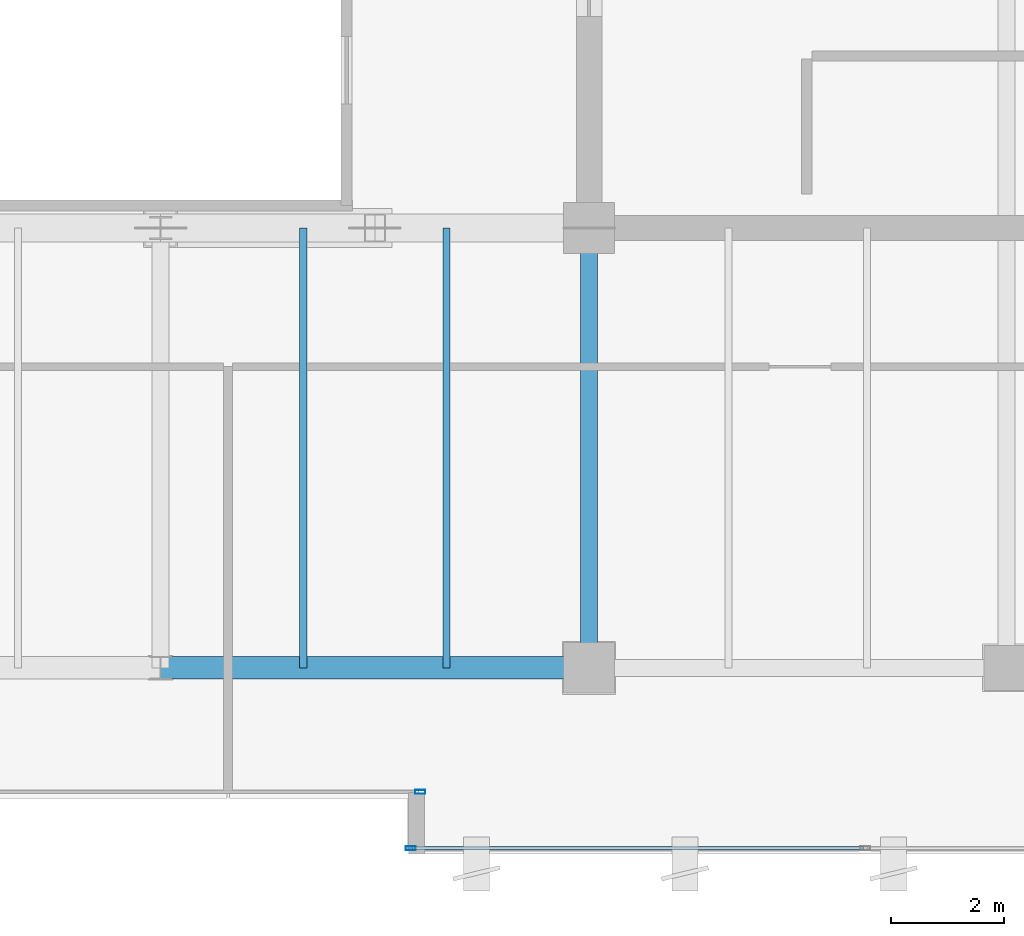
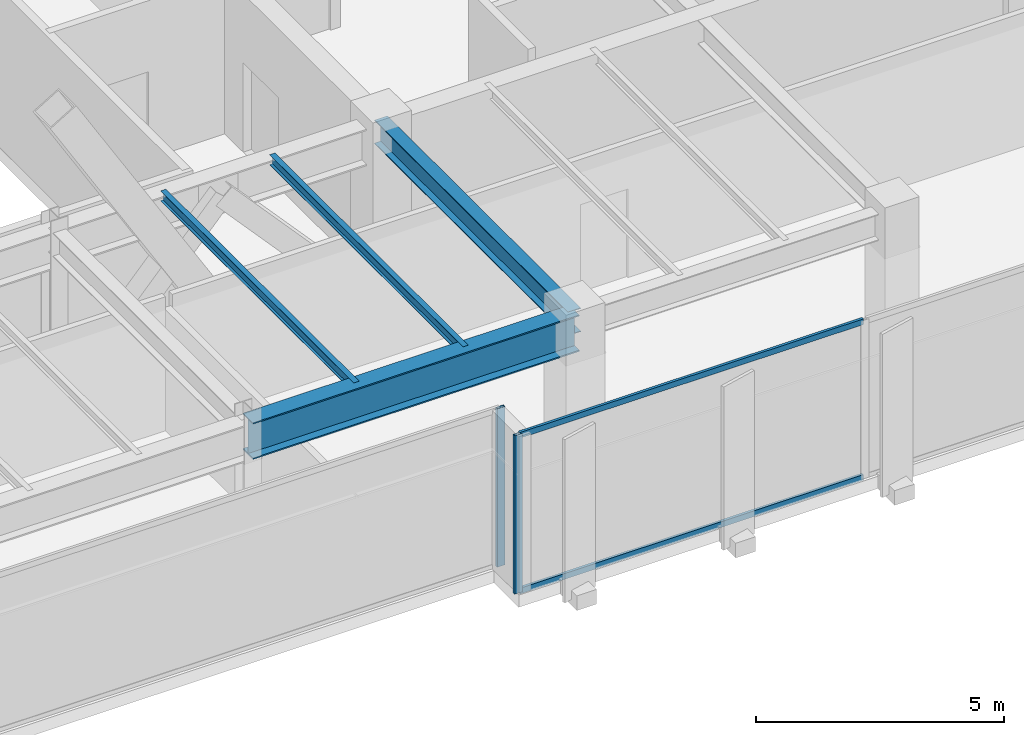
# One storey, part 11 of 32: 4 beams, 4 members, 2 elements without a shape of their own.
"""IFC4 building model written with IfcOpenShell, lengths in metres."""

from ifc_helpers import new_model, si_unit, direction, frame, origin, origin_2d, place, context, subcontext, project, spatial, hollow_rectangle, i_section, extrude, source, transform, mapped, material, layer, layer_set, material_profile, profile_set, type_object, type_shapes, element, aggregate, save


model = new_model("IFC4")

# Units and contexts
model_context = context("Model", 3, precision=1e-05, world=origin(), true_north=direction((0.0, 1.0)))
body_context = subcontext(model_context, "Body", "Model", "MODEL_VIEW")
ifc_project = project(units=[si_unit("LENGTHUNIT", "METRE"), si_unit("AREAUNIT", "SQUARE_METRE"), si_unit("VOLUMEUNIT", "CUBIC_METRE"), si_unit("PLANEANGLEUNIT", "RADIAN"), si_unit("MASSUNIT", "GRAM", prefix="KILO")], contexts=[model_context])

# Site, building, storey
site_placement = place(None, origin())
site = spatial("IfcSite", under=ifc_project, at=site_placement, CompositionType="ELEMENT")
building_placement = place(site_placement, origin())
building = spatial("IfcBuilding", under=site, at=building_placement, Name="Haelvirn Gate Laboratories", CompositionType="ELEMENT")
storey_placement = place(building_placement, frame((0.0, 0.0, 306.0)))
storey = spatial("IfcBuildingStorey", under=building, at=storey_placement, Name="L73", CompositionType="ELEMENT", Elevation=306.0)

# Beams
ifc_material_1 = material(Name="Steel SM420", Category="steel")
ifc_material_profile_1 = material_profile(ifc_material_1, i_section(OverallWidth=0.39990234375, OverallDepth=0.89990234375, WebThickness=0.01904296875, FlangeThickness=0.031982421875, at=origin_2d()), Name="H-900x400x19x32")
ifc_profile_set_1 = profile_set([ifc_material_profile_1], Name="Steel SM420")
beam_type_1 = type_object("IfcBeamType", Name="BM-TG-900", PredefinedType="BEAM", material=ifc_profile_set_1)
shared_shape_1 = source(origin(), body_context, "Body", "SweptSolid", [
    extrude(i_section(OverallWidth=0.39990234375, OverallDepth=0.89990234375, WebThickness=0.01904296875, FlangeThickness=0.031982421875, at=origin_2d()), origin(), (0.0, 0.0, 1.0), 7.60009765625),
])
type_shapes(beam_type_1, [shared_shape_1])
beam_1_placement = place(storey_placement, frame((45.0, 7.0, 3.449951171875), z_axis=(1.0, 0.0, 0.0), x_axis=(0.0, 1.0, 0.0)))
element("IfcBeam", 1, at=beam_1_placement, inside=storey, type_object=beam_type_1, Name="L73 Primary Girder Y7.0 (45.0-52.6)", PredefinedType="BEAM", context=body_context, shape_type="MappedRepresentation", body=[
    mapped(shared_shape_1, transform((0.0, 0.0, 0.0), scale=1.0)),
])
ifc_material_2 = material(Name="Steel SM355", Category="steel")
ifc_material_profile_2 = material_profile(ifc_material_2, i_section(OverallWidth=0.300048828125, OverallDepth=0.587890625, WebThickness=0.011962890625, FlangeThickness=0.02001953125, at=origin_2d()), Name="H-588x300x12x20")
ifc_profile_set_2 = profile_set([ifc_material_profile_2], Name="Steel SM355")
beam_type_2 = type_object("IfcBeamType", Name="BM-G-588", PredefinedType="BEAM", material=ifc_profile_set_2)
shared_shape_2 = source(origin(), body_context, "Body", "SweptSolid", [
    extrude(i_section(OverallWidth=0.300048828125, OverallDepth=0.587890625, WebThickness=0.011962890625, FlangeThickness=0.02001953125, at=origin_2d()), origin(), (0.0, 0.0, 1.0), 7.800048828125),
])
type_shapes(beam_type_2, [shared_shape_2])
beam_2_placement = place(storey_placement, frame((52.60009765625, 7.0, 3.60595703125), z_axis=(0.0, 1.0, 0.0), x_axis=(-1.0, 0.0, 0.0)))
element("IfcBeam", 2, at=beam_2_placement, inside=storey, type_object=beam_type_2, Name="L73 Frame Girder X52.6 (7.0-14.8)", PredefinedType="BEAM", context=body_context, shape_type="MappedRepresentation", body=[
    mapped(shared_shape_2, transform((0.0, 0.0, 0.0), scale=1.0)),
])
ifc_material_profile_3 = material_profile(ifc_material_2, i_section(OverallWidth=0.125, OverallDepth=0.25, WebThickness=0.006103515625, FlangeThickness=0.009033203125, at=origin_2d()), Name="H-250x125x6x9")
ifc_profile_set_3 = profile_set([ifc_material_profile_3], Name="Steel SM355")
beam_type_3 = type_object("IfcBeamType", Name="BM-J-250", PredefinedType="JOIST", material=ifc_profile_set_3)
shared_shape_3 = source(origin(), body_context, "Body", "SweptSolid", [
    extrude(i_section(OverallWidth=0.125, OverallDepth=0.25, WebThickness=0.006103515625, FlangeThickness=0.009033203125, at=origin_2d()), origin(), (0.0, 0.0, 1.0), 7.800048828125),
])
type_shapes(beam_type_3, [shared_shape_3])
for number, where, z_axis, x_axis, name in (
    (3, (47.530029296875, 7.0, 3.77490234375), (0.0, 1.0, 0.0), (-1.0, 0.0, 0.0), "L73 Composite Lab Joist South X47.53"),
    (4, (50.070068359375, 7.0, 3.77490234375), (0.0, 1.0, 0.0), (-1.0, 0.0, 0.0), "L73 Composite Lab Joist South X50.07"),
):
    element("IfcBeam", number, at=place(storey_placement, frame(where, z_axis=z_axis, x_axis=x_axis)), inside=storey, type_object=beam_type_3, Name=name, PredefinedType="JOIST", context=body_context, shape_type="MappedRepresentation", body=[
        mapped(shared_shape_3, transform((0.0, 0.0, 0.0), scale=1.0)),
    ])

# Curtain wall, member
ifc_material_3 = material(Name="Anodised bronze unitised aluminium & triple low-E glass", Category="aluminium")
ifc_layer = layer(ifc_material_3, 0.176025390625, Name="CW-SYS-4")
ifc_layer_set = layer_set([ifc_layer], Name="Anodised bronze unitised aluminium & triple low-E glass")
curtain_wall_type = type_object("IfcCurtainWallType", Name="CW-SYS-4", PredefinedType="NOTDEFINED", material=ifc_layer_set)
curtain_wall_1_placement = place(storey_placement, origin())
curtain_wall_1 = element("IfcCurtainWall", 5, at=curtain_wall_1_placement, inside=storey, type_object=curtain_wall_type, Name="L73 Unitised Curtain Wall CW-L73-P0-E02-1", PredefinedType="NOTDEFINED")
ifc_material_4 = material(Name="Extruded aluminium 6063-T6 (anodised bronze)", Category="aluminium")
ifc_material_profile_4 = material_profile(ifc_material_4, hollow_rectangle(XDim=0.070068359375, YDim=0.179931640625, WallThickness=0.0048828125, at=origin_2d()), Name="CWM-180x70x5")
ifc_profile_set_4 = profile_set([ifc_material_profile_4], Name="Extruded aluminium 6063-T6 (anodised bronze)")
member_type_1 = type_object("IfcMemberType", Name="CWM-T180", PredefinedType="MULLION", material=ifc_profile_set_4)
shared_shape_4 = source(origin(), body_context, "Body", "SweptSolid", [
    extrude(hollow_rectangle(XDim=0.070068359375, YDim=0.179931640625, WallThickness=0.0048828125, at=origin_2d()), origin(), (0.0, 0.0, 1.0), 3.89990234375),
])
type_shapes(member_type_1, [shared_shape_4])
member_1_placement = place(storey_placement, frame((49.60498046875, 4.800048828125, 0.0), z_axis=(0.0, 0.0, 1.0), x_axis=(0.0, 1.0, 0.0)))
member_1 = element("IfcMember", 6, at=member_1_placement, type_object=member_type_1, Name="CW4 mullion 3", PredefinedType="MULLION", context=body_context, shape_type="MappedRepresentation", body=[
    mapped(shared_shape_4, transform((0.0, 0.0, 0.0), scale=1.0)),
])
aggregate(curtain_wall_1, [member_1])

# Curtain wall, members
curtain_wall_2_placement = place(storey_placement, origin())
curtain_wall_2 = element("IfcCurtainWall", 7, at=curtain_wall_2_placement, inside=storey, type_object=curtain_wall_type, Name="L73 Unitised Curtain Wall CW-L73-P0-E04-1", PredefinedType="NOTDEFINED")
member_2_placement = place(storey_placement, frame((49.43505859375, 3.800048828125, 0.0), z_axis=(0.0, 0.0, 1.0), x_axis=(0.0, 1.0, 0.0)))
member_2 = element("IfcMember", 8, at=member_2_placement, type_object=member_type_1, Name="CW4 mullion 1", PredefinedType="MULLION", context=body_context, shape_type="MappedRepresentation", body=[
    mapped(shared_shape_4, transform((0.0, 0.0, 0.0), scale=1.0)),
])
ifc_material_profile_5 = material_profile(ifc_material_4, hollow_rectangle(XDim=0.06494140625, YDim=0.139892578125, WallThickness=0.00390625, at=origin_2d()), Name="CWT-140x65x4")
ifc_profile_set_5 = profile_set([ifc_material_profile_5], Name="Extruded aluminium 6063-T6 (anodised bronze)")
member_type_2 = type_object("IfcMemberType", Name="CWT-T140", PredefinedType="USERDEFINED", material=ifc_profile_set_5)
shared_shape_5 = source(origin(), body_context, "Body", "SweptSolid", [
    extrude(hollow_rectangle(XDim=0.06494140625, YDim=0.139892578125, WallThickness=0.00390625, at=origin_2d()), origin(), (0.0, 0.0, 1.0), 7.9951171875),
])
type_shapes(member_type_2, [shared_shape_5])
member_3_placement = place(storey_placement, frame((49.469970703125, 3.800048828125, 0.032470703125), z_axis=(1.0, 0.0, 0.0), x_axis=(0.0, 1.0, 0.0)))
member_3 = element("IfcMember", 9, at=member_3_placement, type_object=member_type_2, Name="CW4 transom 1.1", ObjectType="TRANSOM", PredefinedType="USERDEFINED", context=body_context, shape_type="MappedRepresentation", body=[
    mapped(shared_shape_5, transform((0.0, 0.0, 0.0), scale=1.0)),
])
member_4_placement = place(storey_placement, frame((49.469970703125, 3.800048828125, 3.867431640625), z_axis=(1.0, 0.0, 0.0), x_axis=(0.0, 1.0, 0.0)))
member_4 = element("IfcMember", 10, at=member_4_placement, type_object=member_type_2, Name="CW4 transom 1.2", ObjectType="TRANSOM", PredefinedType="USERDEFINED", context=body_context, shape_type="MappedRepresentation", body=[
    mapped(shared_shape_5, transform((0.0, 0.0, 0.0), scale=1.0)),
])
aggregate(curtain_wall_2, [member_2, member_3, member_4])

save(model, "model.ifc")
